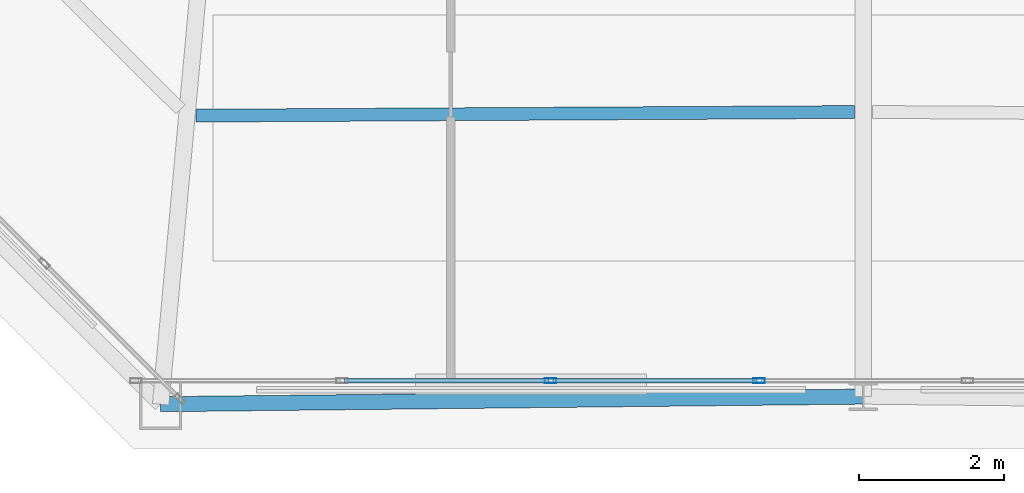
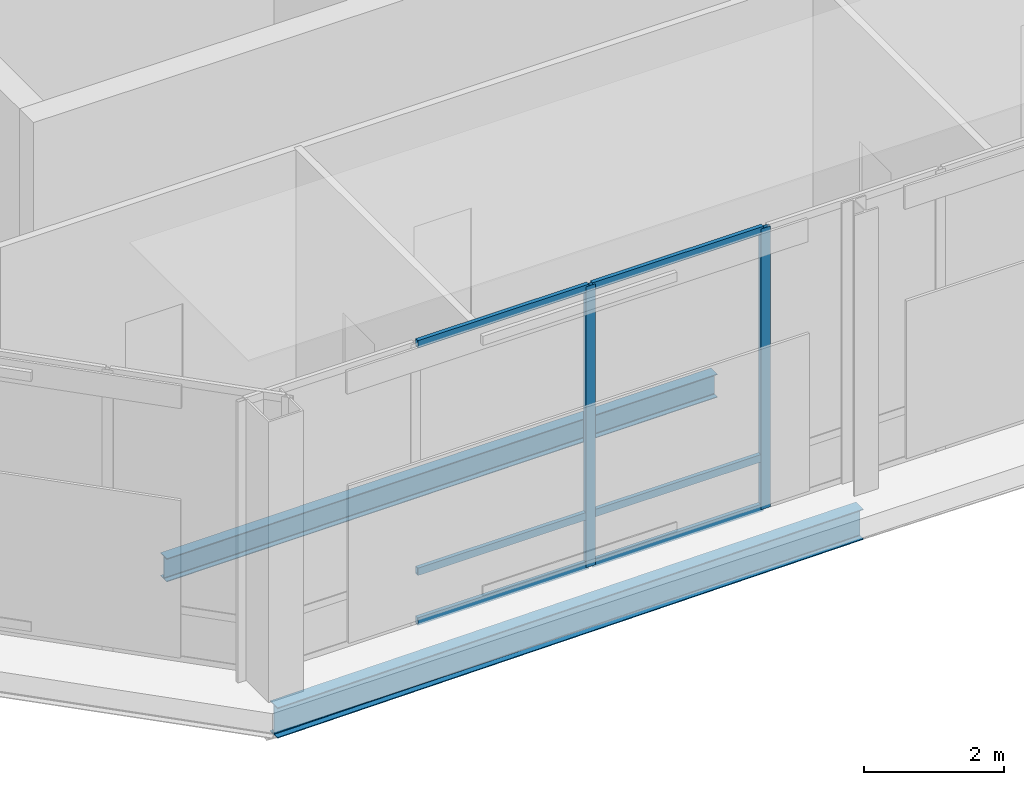
# One storey, part 3 of 21: 8 members, 2 beams, 1 element without a shape of its own.
"""IFC4 building model written with IfcOpenShell, lengths in metres."""

from ifc_helpers import new_model, si_unit, direction, frame, origin, origin_2d, place, context, subcontext, project, spatial, hollow_rectangle, i_section, extrude, material, layer, layer_set, material_profile, profile_set, type_object, element, aggregate, save


model = new_model("IFC4")

# Units and contexts
model_context = context("Model", 3, precision=1e-05, world=origin(), true_north=direction((0.0, 1.0)))
body_context = subcontext(model_context, "Body", "Model", "MODEL_VIEW")
ifc_project = project(units=[si_unit("LENGTHUNIT", "METRE"), si_unit("AREAUNIT", "SQUARE_METRE"), si_unit("VOLUMEUNIT", "CUBIC_METRE"), si_unit("PLANEANGLEUNIT", "RADIAN"), si_unit("MASSUNIT", "GRAM", prefix="KILO")], contexts=[model_context])

# Site, building, storey
site_placement = place(None, origin())
site = spatial("IfcSite", under=ifc_project, at=site_placement, CompositionType="ELEMENT")
building_placement = place(site_placement, origin())
building = spatial("IfcBuilding", under=site, at=building_placement, Name="Caelvoria Tower", CompositionType="ELEMENT")
storey_placement = place(building_placement, frame((0.0, 0.0, 279.0)))
storey = spatial("IfcBuildingStorey", under=building, at=storey_placement, Name="L74", CompositionType="ELEMENT", Elevation=279.0)

# Curtain wall, members
ifc_material_1 = material(Name="Anodised Bronze Aluminium and Low-E Glass", Category="aluminium")
ifc_layer = layer(ifc_material_1, 0.205078125, Name="Anodised Bronze Aluminium and Low-E Glass")
ifc_layer_set = layer_set([ifc_layer], Name="CW System 5 Observation Panorama Low-Iron Facade - Anodised Bronze Aluminium and Low-E Glass")
curtain_wall_type = type_object("IfcCurtainWallType", Name="CW System 5 Observation Panorama Low-Iron Facade", PredefinedType="NOTDEFINED", material=ifc_layer_set)
curtain_wall_placement = place(storey_placement, origin())
curtain_wall = element("IfcCurtainWall", 1, at=curtain_wall_placement, inside=storey, type_object=curtain_wall_type, Name="CW-05 Curtain Wall L74-E0", PredefinedType="NOTDEFINED")
ifc_material_2 = material(Name="Anodised Bronze Architectural Aluminium", Category="aluminium")
ifc_material_profile_1 = material_profile(ifc_material_2, hollow_rectangle(XDim=0.06494140625, YDim=0.159912109375, WallThickness=0.00390625, at=origin_2d()), Name="Anodised Bronze Architectural Aluminium")
ifc_profile_set_1 = profile_set([ifc_material_profile_1], Name="CW_MULL_65X160 - Anodised Bronze Architectural Aluminium")
member_type_1 = type_object("IfcMemberType", Name="Curtain Wall Mullion 65x160 Bronze Aluminium", PredefinedType="MULLION", material=ifc_profile_set_1)
member_1_placement = place(storey_placement, frame((41.67138671875, 16.340087890625, 0.0), z_axis=(0.0, 0.0, 1.0), x_axis=(0.0, 1.0, 0.0)))
member_1 = element("IfcMember", 2, at=member_1_placement, type_object=member_type_1, Name="CW-05 mullion 3", PredefinedType="MULLION", context=body_context, shape_type="SweptSolid", body=[
    extrude(hollow_rectangle(XDim=0.06494140625, YDim=0.159912109375, WallThickness=0.00390625, at=origin_2d()), origin(), (0.0, 0.0, 1.0), 4.89990234375),
])
member_2_placement = place(storey_placement, frame((44.55712890625, 16.340087890625, 0.0), z_axis=(0.0, 0.0, 1.0), x_axis=(0.0, 1.0, 0.0)))
member_2 = element("IfcMember", 3, at=member_2_placement, type_object=member_type_1, Name="CW-05 mullion 4", PredefinedType="MULLION", context=body_context, shape_type="SweptSolid", body=[
    extrude(hollow_rectangle(XDim=0.06494140625, YDim=0.159912109375, WallThickness=0.00390625, at=origin_2d()), origin(), (0.0, 0.0, 1.0), 4.89990234375),
])
ifc_material_profile_2 = material_profile(ifc_material_2, hollow_rectangle(XDim=0.06494140625, YDim=0.1298828125, WallThickness=0.00341796875, at=origin_2d()), Name="Anodised Bronze Architectural Aluminium")
ifc_profile_set_2 = profile_set([ifc_material_profile_2], Name="CW_TRAN_65X130 - Anodised Bronze Architectural Aluminium")
member_type_2 = type_object("IfcMemberType", Name="Curtain Wall Transom 65x130 Bronze Aluminium", PredefinedType="USERDEFINED", material=ifc_profile_set_2)
member_3_placement = place(storey_placement, frame((38.818115234375, 16.340087890625, 0.032470703125), z_axis=(1.0, 0.0, 0.0), x_axis=(0.0, 1.0, 0.0)))
member_3 = element("IfcMember", 4, at=member_3_placement, type_object=member_type_2, Name="CW-05 transom 2.1", ObjectType="TRANSOM", PredefinedType="USERDEFINED", context=body_context, shape_type="SweptSolid", body=[
    extrude(hollow_rectangle(XDim=0.06494140625, YDim=0.1298828125, WallThickness=0.00341796875, at=origin_2d()), origin(), (0.0, 0.0, 1.0), 2.82080078125),
])
member_4_placement = place(storey_placement, frame((38.818115234375, 16.340087890625, 0.89990234375), z_axis=(1.0, 0.0, 0.0), x_axis=(0.0, 1.0, 0.0)))
member_4 = element("IfcMember", 5, at=member_4_placement, type_object=member_type_2, Name="CW-05 transom 2.2", ObjectType="TRANSOM", PredefinedType="USERDEFINED", context=body_context, shape_type="SweptSolid", body=[
    extrude(hollow_rectangle(XDim=0.06494140625, YDim=0.1298828125, WallThickness=0.00341796875, at=origin_2d()), origin(), (0.0, 0.0, 1.0), 2.82080078125),
])
member_5_placement = place(storey_placement, frame((38.818115234375, 16.340087890625, 4.867431640625), z_axis=(1.0, 0.0, 0.0), x_axis=(0.0, 1.0, 0.0)))
member_5 = element("IfcMember", 6, at=member_5_placement, type_object=member_type_2, Name="CW-05 transom 2.3", ObjectType="TRANSOM", PredefinedType="USERDEFINED", context=body_context, shape_type="SweptSolid", body=[
    extrude(hollow_rectangle(XDim=0.06494140625, YDim=0.1298828125, WallThickness=0.00341796875, at=origin_2d()), origin(), (0.0, 0.0, 1.0), 2.82080078125),
])
member_6_placement = place(storey_placement, frame((41.703857421875, 16.340087890625, 0.032470703125), z_axis=(1.0, 0.0, 0.0), x_axis=(0.0, 1.0, 0.0)))
member_6 = element("IfcMember", 7, at=member_6_placement, type_object=member_type_2, Name="CW-05 transom 3.1", ObjectType="TRANSOM", PredefinedType="USERDEFINED", context=body_context, shape_type="SweptSolid", body=[
    extrude(hollow_rectangle(XDim=0.06494140625, YDim=0.1298828125, WallThickness=0.00341796875, at=origin_2d()), origin(), (0.0, 0.0, 1.0), 2.82080078125),
])
member_7_placement = place(storey_placement, frame((41.703857421875, 16.340087890625, 0.89990234375), z_axis=(1.0, 0.0, 0.0), x_axis=(0.0, 1.0, 0.0)))
member_7 = element("IfcMember", 8, at=member_7_placement, type_object=member_type_2, Name="CW-05 transom 3.2", ObjectType="TRANSOM", PredefinedType="USERDEFINED", context=body_context, shape_type="SweptSolid", body=[
    extrude(hollow_rectangle(XDim=0.06494140625, YDim=0.1298828125, WallThickness=0.00341796875, at=origin_2d()), origin(), (0.0, 0.0, 1.0), 2.82080078125),
])
member_8_placement = place(storey_placement, frame((41.703857421875, 16.340087890625, 4.867431640625), z_axis=(1.0, 0.0, 0.0), x_axis=(0.0, 1.0, 0.0)))
member_8 = element("IfcMember", 9, at=member_8_placement, type_object=member_type_2, Name="CW-05 transom 3.3", ObjectType="TRANSOM", PredefinedType="USERDEFINED", context=body_context, shape_type="SweptSolid", body=[
    extrude(hollow_rectangle(XDim=0.06494140625, YDim=0.1298828125, WallThickness=0.00341796875, at=origin_2d()), origin(), (0.0, 0.0, 1.0), 2.82080078125),
])
aggregate(curtain_wall, [member_1, member_2, member_3, member_4, member_5, member_6, member_7, member_8])

# Beams
ifc_material_3 = material(Name="Structural Steel ASTM A992 Gr.50", Category="steel")
ifc_material_profile_3 = material_profile(ifc_material_3, i_section(OverallWidth=0.177978515625, OverallDepth=0.406982421875, WebThickness=0.0078125, FlangeThickness=0.0126953125, FilletRadius=0.013916015625, at=origin_2d()), Name="Structural Steel ASTM A992 Gr.50")
ifc_profile_set_3 = profile_set([ifc_material_profile_3], Name="W410X60 - Structural Steel ASTM A992 Gr.50")
beam_type_1 = type_object("IfcBeamType", Name="Secondary Floor Beam W410X60", PredefinedType="BEAM", material=ifc_profile_set_3)
beam_1_placement = place(storey_placement, frame((36.76220703125, 20.00830078125, -0.54345703125), z_axis=(0.999984324209, 0.005599226377, 0.0), x_axis=(-0.005599226377, 0.999984324209, 0.0)))
element("IfcBeam", 10, at=beam_1_placement, inside=storey, type_object=beam_type_1, Name="Secondary Floor Beam L74-00", PredefinedType="BEAM", context=body_context, shape_type="SweptSolid", body=[
    extrude(i_section(OverallWidth=0.177978515625, OverallDepth=0.406982421875, WebThickness=0.0078125, FlangeThickness=0.0126953125, FilletRadius=0.013916015625, at=origin_2d()), origin(), (0.0, 0.0, 1.0), 9.113037109375),
])
ifc_material_profile_4 = material_profile(ifc_material_3, i_section(OverallWidth=0.208984375, OverallDepth=0.532958984375, WebThickness=0.01025390625, FlangeThickness=0.015625, FilletRadius=0.01611328125, at=origin_2d()), Name="Structural Steel ASTM A992 Gr.50")
ifc_profile_set_4 = profile_set([ifc_material_profile_4], Name="W530X92 - Structural Steel ASTM A992 Gr.50")
beam_type_2 = type_object("IfcBeamType", Name="Upper Zone Spandrel W530X92", PredefinedType="BEAM", material=ifc_profile_set_4)
beam_2_placement = place(storey_placement, frame((36.274169921875, 16.01513671875, -0.6064453125), z_axis=(0.999941750029, 0.010793356742, 0.0), x_axis=(-0.010793356742, 0.999941750029, 0.0)))
element("IfcBeam", 11, at=beam_2_placement, inside=storey, type_object=beam_type_2, Name="Perimeter Spandrel Girder L74-00", PredefinedType="BEAM", context=body_context, shape_type="SweptSolid", body=[
    extrude(i_section(OverallWidth=0.208984375, OverallDepth=0.532958984375, WebThickness=0.01025390625, FlangeThickness=0.015625, FilletRadius=0.01611328125, at=origin_2d()), origin(), (0.0, 0.0, 1.0), 9.726318359375),
])

save(model, "model.ifc")
